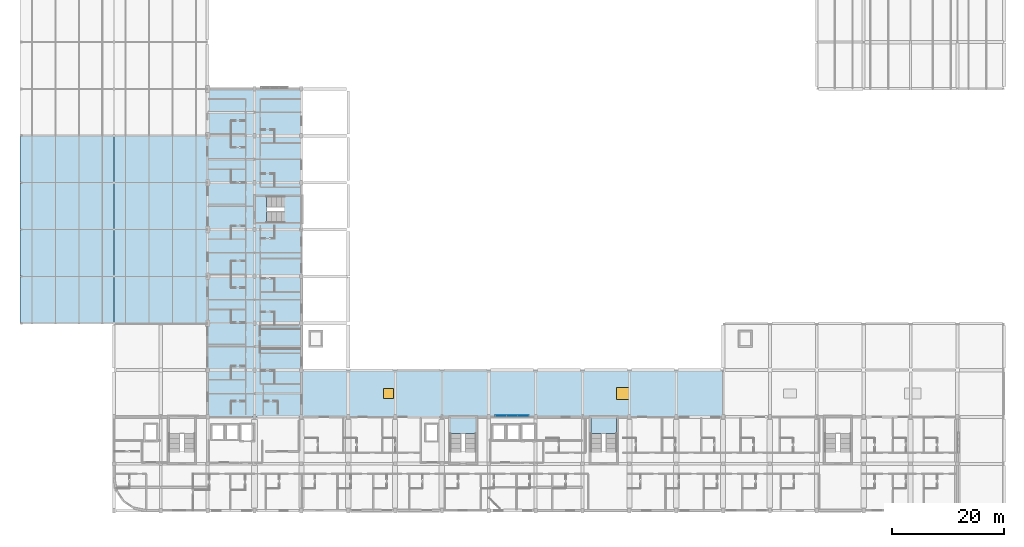
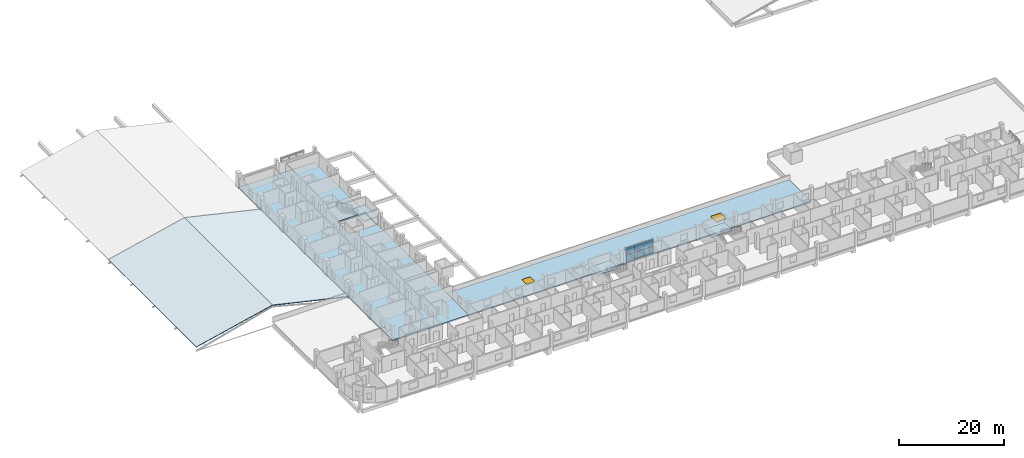
# One storey, part 13 of 42: 7 slabs, 6 plates, 2 windows, 2 openings, 4 elements without a shape of their own.
"""IFC4 building model written with IfcOpenShell, lengths in metres."""

from ifc_helpers import new_model, si_unit, derived_unit, direction, frame, origin, origin_2d, place, context, subcontext, project, spatial, polyline, rectangle, outline, extrude, material, layer, layer_set, type_object, element, fill, aggregate, save


model = new_model("IFC4")

# Units and contexts
model_context = context("Model", 3, precision=1e-05, world=origin(), true_north=direction((0.0, 1.0)))
body_context = subcontext(model_context, "Body", "Model", "MODEL_VIEW")
ifc_project = project(units=[si_unit("LENGTHUNIT", "METRE"), si_unit("AREAUNIT", "SQUARE_METRE"), si_unit("VOLUMEUNIT", "CUBIC_METRE"), si_unit("PLANEANGLEUNIT", "RADIAN"), si_unit("MASSUNIT", "GRAM", prefix="KILO"), derived_unit("THERMALTRANSMITTANCEUNIT", [(si_unit("POWERUNIT", "WATT"), 1), (si_unit("LENGTHUNIT", "METRE"), -2), (si_unit("THERMODYNAMICTEMPERATUREUNIT", "KELVIN"), -1)])], contexts=[model_context])

# Site, building, storey
site_placement = place(None, origin())
site = spatial("IfcSite", under=ifc_project, at=site_placement, CompositionType="ELEMENT")
building_placement = place(site_placement, origin())
building = spatial("IfcBuilding", under=site, at=building_placement, Name="Barrovel Congress Hotel", CompositionType="ELEMENT")
storey_placement = place(building_placement, frame((0.0, 0.0, 18.300048828125)))
storey = spatial("IfcBuildingStorey", under=building, at=storey_placement, Name="L04", CompositionType="ELEMENT", Elevation=18.300048828125)

# Curtain wall, plates
ifc_material_1 = material(Name="Anodised Aluminium Alloy 6063-T6", Category="aluminium")
curtain_wall_type = type_object("IfcCurtainWallType", Name="CW-UN-6000x3200", PredefinedType="USERDEFINED", material=ifc_material_1)
curtain_wall_placement = place(storey_placement, origin())
curtain_wall = element("IfcCurtainWall", 1, at=curtain_wall_placement, inside=storey, type_object=curtain_wall_type, Name="CW:L04:UN-4", ObjectType="UNITISED CURTAIN WALL", PredefinedType="USERDEFINED")
ifc_material_2 = material(Name="Double Low-E Insulated Glazing", Category="glass")
ifc_layer_1 = layer(ifc_material_2, 0.028076171875)
ifc_layer_set_1 = layer_set([ifc_layer_1], Name="Double Low-E Insulated Glazing")
plate_type = type_object("IfcPlateType", Name="CWP-28", PredefinedType="CURTAIN_PANEL", material=ifc_layer_set_1)
plate_1_placement = place(storey_placement, frame((86.199951171875, 21.219970703125, 0.030029296875), z_axis=(0.0, 0.0, 1.0), x_axis=(1.0, 0.0, 0.0)))
plate_1 = element("IfcPlate", 2, at=plate_1_placement, type_object=plate_type, Name="CW:L04:UN-4:P0-0", PredefinedType="CURTAIN_PANEL", context=body_context, shape_type="SweptSolid", body=[
    extrude(rectangle(XDim=1.93994140625, YDim=0.028076171875, at=origin_2d()), origin(), (0.0, 0.0, 1.0), 1.56494140625),
])
plate_2_placement = place(storey_placement, frame((86.199951171875, 21.219970703125, 1.655029296875), z_axis=(0.0, 0.0, 1.0), x_axis=(1.0, 0.0, 0.0)))
plate_2 = element("IfcPlate", 3, at=plate_2_placement, type_object=plate_type, Name="CW:L04:UN-4:P0-1", PredefinedType="CURTAIN_PANEL", context=body_context, shape_type="SweptSolid", body=[
    extrude(rectangle(XDim=1.93994140625, YDim=0.028076171875, at=origin_2d()), origin(), (0.0, 0.0, 1.0), 1.56494140625),
])
plate_3_placement = place(storey_placement, frame((88.199951171875, 21.219970703125, 0.030029296875), z_axis=(0.0, 0.0, 1.0), x_axis=(1.0, 0.0, 0.0)))
plate_3 = element("IfcPlate", 4, at=plate_3_placement, type_object=plate_type, Name="CW:L04:UN-4:P1-0", PredefinedType="CURTAIN_PANEL", context=body_context, shape_type="SweptSolid", body=[
    extrude(rectangle(XDim=1.93994140625, YDim=0.028076171875, at=origin_2d()), origin(), (0.0, 0.0, 1.0), 1.56494140625),
])
plate_4_placement = place(storey_placement, frame((88.199951171875, 21.219970703125, 1.655029296875), z_axis=(0.0, 0.0, 1.0), x_axis=(1.0, 0.0, 0.0)))
plate_4 = element("IfcPlate", 5, at=plate_4_placement, type_object=plate_type, Name="CW:L04:UN-4:P1-1", PredefinedType="CURTAIN_PANEL", context=body_context, shape_type="SweptSolid", body=[
    extrude(rectangle(XDim=1.93994140625, YDim=0.028076171875, at=origin_2d()), origin(), (0.0, 0.0, 1.0), 1.56494140625),
])
plate_5_placement = place(storey_placement, frame((90.199951171875, 21.219970703125, 0.030029296875), z_axis=(0.0, 0.0, 1.0), x_axis=(1.0, 0.0, 0.0)))
plate_5 = element("IfcPlate", 6, at=plate_5_placement, type_object=plate_type, Name="CW:L04:UN-4:P2-0", PredefinedType="CURTAIN_PANEL", context=body_context, shape_type="SweptSolid", body=[
    extrude(rectangle(XDim=1.93994140625, YDim=0.028076171875, at=origin_2d()), origin(), (0.0, 0.0, 1.0), 1.56494140625),
])
plate_6_placement = place(storey_placement, frame((90.199951171875, 21.219970703125, 1.655029296875), z_axis=(0.0, 0.0, 1.0), x_axis=(1.0, 0.0, 0.0)))
plate_6 = element("IfcPlate", 7, at=plate_6_placement, type_object=plate_type, Name="CW:L04:UN-4:P2-1", PredefinedType="CURTAIN_PANEL", context=body_context, shape_type="SweptSolid", body=[
    extrude(rectangle(XDim=1.93994140625, YDim=0.028076171875, at=origin_2d()), origin(), (0.0, 0.0, 1.0), 1.56494140625),
])
aggregate(curtain_wall, [plate_1, plate_2, plate_3, plate_4, plate_5, plate_6])

# Slab
ifc_material_3 = material(Name="Concrete C40", Category="concrete")
ifc_layer_2 = layer(ifc_material_3, 0.300048828125)
ifc_layer_set_2 = layer_set([ifc_layer_2], Name="Concrete C40")
slab_type_1 = type_object("IfcSlabType", Name="SL-F300", PredefinedType="FLOOR", material=ifc_layer_set_2)
slab_1_placement = place(storey_placement, frame((0.0, 0.0, -0.300048828125)))
element("IfcSlab", 8, at=slab_1_placement, inside=storey, type_object=slab_type_1, Name="SLAB:L04:HOT-W1", PredefinedType="FLOOR", context=body_context, shape_type="SweptSolid", body=[
    extrude(outline(polyline([(33.60009765625, 21.0), (50.39990234375, 21.0), (50.39990234375, 79.800048828125), (33.60009765625, 79.800048828125), (33.60009765625, 21.0)]), holes=[polyline([(44.179931640625, 55.89990234375), (44.179931640625, 60.5), (50.320068359375, 60.5), (50.320068359375, 55.89990234375), (44.179931640625, 55.89990234375)])]), origin(), (0.0, 0.0, 1.0), 0.300048828125),
])

# Stair, slab
stair_type_1 = type_object("IfcStairType", Name="STR-HT-360", PredefinedType="HALF_TURN_STAIR", material=ifc_material_3)
stair_1_placement = place(storey_placement, origin())
stair_1 = element("IfcStair", 9, at=stair_1_placement, inside=storey, type_object=stair_type_1, Name="Exit Stair XS-02 (L04)", PredefinedType="HALF_TURN_STAIR")
ifc_layer_3 = layer(ifc_material_3, 0.2099609375)
ifc_layer_set_3 = layer_set([ifc_layer_3], Name="Concrete C40")
slab_type_2 = type_object("IfcSlabType", Name="SL-LDG-210", PredefinedType="LANDING", material=ifc_layer_set_3)
slab_2_placement = place(storey_placement, frame((0.0, 0.0, 1.58984375)))
slab_2 = element("IfcSlab", 10, at=slab_2_placement, type_object=slab_type_2, Name="STAIR:XS-02:L04:LDG", PredefinedType="LANDING", context=body_context, shape_type="SweptSolid", body=[
    extrude(outline(polyline([(77.080078125, 18.010009765625), (81.719970703125, 18.010009765625), (81.719970703125, 21.02001953125), (77.080078125, 21.02001953125), (77.080078125, 18.010009765625)])), origin(), (0.0, 0.0, 1.0), 0.210205078125),
])
aggregate(stair_1, [slab_2])

stair_type_2 = type_object("IfcStairType", Name="STR-DR-360", PredefinedType="DOUBLE_RETURN_STAIR", material=ifc_material_3)
stair_2_placement = place(storey_placement, origin())
stair_2 = element("IfcStair", 11, at=stair_2_placement, inside=storey, type_object=stair_type_2, Name="Exit Stair XS-05 (L04)", PredefinedType="DOUBLE_RETURN_STAIR")
slab_3_placement = place(storey_placement, frame((0.0, 0.0, 1.58984375)))
slab_3 = element("IfcSlab", 12, at=slab_3_placement, type_object=slab_type_2, Name="STAIR:XS-05:L04:LDG", PredefinedType="LANDING", context=body_context, shape_type="SweptSolid", body=[
    extrude(outline(polyline([(47.409912109375, 55.8798828125), (50.419921875, 55.8798828125), (50.419921875, 60.52001953125), (47.409912109375, 60.52001953125), (47.409912109375, 55.8798828125)])), origin(), (0.0, 0.0, 1.0), 0.210205078125),
])
aggregate(stair_2, [slab_3])

stair_3_placement = place(storey_placement, origin())
stair_3 = element("IfcStair", 13, at=stair_3_placement, inside=storey, type_object=stair_type_1, Name="Exit Stair XS-03 (L04)", PredefinedType="HALF_TURN_STAIR")
ifc_layer_4 = layer(ifc_material_3, 0.22998046875)
ifc_layer_set_4 = layer_set([ifc_layer_4], Name="Concrete C40")
slab_type_3 = type_object("IfcSlabType", Name="SL-LDG-230", PredefinedType="LANDING", material=ifc_layer_set_4)
slab_4_placement = place(storey_placement, frame((0.0, 0.0, 1.570068359375)))
slab_4 = element("IfcSlab", 14, at=slab_4_placement, type_object=slab_type_3, Name="STAIR:XS-03:L04:LDG", PredefinedType="LANDING", context=body_context, shape_type="SweptSolid", body=[
    extrude(outline(polyline([(102.280029296875, 18.010009765625), (106.919921875, 18.010009765625), (106.919921875, 21.02001953125), (102.280029296875, 21.02001953125), (102.280029296875, 18.010009765625)])), origin(), (0.0, 0.0, 1.0), 0.22998046875),
])
aggregate(stair_3, [slab_4])

# Slabs
ifc_material_4 = material(Name="Concrete C35", Category="concrete")
ifc_layer_5 = layer(ifc_material_4, 0.159912109375)
ifc_layer_set_5 = layer_set([ifc_layer_5], Name="Concrete C35")
slab_type_4 = type_object("IfcSlabType", Name="SL-R160", PredefinedType="ROOF", material=ifc_layer_set_5)
for number, where, z_axis, x_axis, name in (
    (15, (0.0, 37.800048828125, 0.0), (-0.224954645868, 0.0, 0.97436923561), (0.97436923561, 0.0, 0.224954645868), "SLAB:V1-ROOF-W1"),
    (16, (16.800048828125, 37.800048828125, 3.878662109375), (0.224954645868, 0.0, 0.97436923561), (0.97436923561, 0.0, -0.224954645868), "SLAB:V1-ROOF-E1"),
):
    element("IfcSlab", number, at=place(storey_placement, frame(where, z_axis=z_axis, x_axis=x_axis)), inside=storey, type_object=slab_type_4, Name=name, PredefinedType="ROOF", context=body_context, shape_type="SweptSolid", body=[
        extrude(outline(polyline([(0.0, 0.0), (17.241973796119908, 0.0), (17.241973796119908, 33.59985351562499), (0.0, 33.59985351562499), (0.0, 0.0)])), origin(), (0.0, 0.0, -1.0), 0.159912109375),
    ])

# Slab, openings, windows
ifc_layer_6 = layer(ifc_material_4, 0.239990234375)
ifc_layer_set_6 = layer_set([ifc_layer_6], Name="Concrete C35")
slab_type_5 = type_object("IfcSlabType", Name="SL-R240", PredefinedType="ROOF", material=ifc_layer_set_6)
slab_5_placement = place(storey_placement, frame((0.0, 0.0, -0.239990234375)))
slab_5 = element("IfcSlab", 17, at=slab_5_placement, inside=storey, type_object=slab_type_5, Name="SLAB:L04:POD-ROOF-2", PredefinedType="ROOF", context=body_context, shape_type="SweptSolid", body=[
    extrude(outline(polyline([(50.39990234375, 21.0), (126.0, 21.0), (126.0, 29.39990234375), (50.39990234375, 29.39990234375), (50.39990234375, 21.0)])), origin(), (0.0, 0.0, 1.0), 0.239990234375),
])
opening_1_placement = place(slab_5_placement, frame((66.0, 25.199951171875, -0.010009765625)))
opening_1 = element("IfcOpeningElement", 18, at=opening_1_placement, cuts=slab_5, Name="Opening SK-01", PredefinedType="OPENING", context=body_context, shape_type="SweptSolid", body=[
    extrude(rectangle(XDim=1.800048828125, YDim=1.800048828125, at=origin_2d()), origin(), (0.0, 0.0, 1.0), 0.260009765625),
])
opening_2_placement = place(slab_5_placement, frame((108.0, 25.199951171875, -0.010009765625)))
opening_2 = element("IfcOpeningElement", 19, at=opening_2_placement, cuts=slab_5, Name="Opening SK-02", PredefinedType="OPENING", context=body_context, shape_type="SweptSolid", body=[
    extrude(rectangle(XDim=2.199951171875, YDim=2.199951171875, at=origin_2d()), origin(), (0.0, 0.0, 1.0), 0.260009765625),
])
window_type_1 = type_object("IfcWindowType", Name="SKY-01", PartitioningType="SINGLE_PANEL", PredefinedType="SKYLIGHT", material=ifc_material_2)
window_1_placement = place(slab_5_placement, frame((66.0, 25.199951171875, 0.18994140625)))
window_1 = element("IfcWindow", 20, at=window_1_placement, inside=storey, type_object=window_type_1, Name="Curb-Mounted Roof Skylight SK-5", OverallHeight=1.800048828125, OverallWidth=1.800048828125, PartitioningType="SINGLE_PANEL", PredefinedType="SKYLIGHT", context=body_context, shape_type="SweptSolid", body=[
    extrude(rectangle(XDim=1.800048828125, YDim=1.800048828125, at=origin_2d()), origin(), (0.0, 0.0, 1.0), 0.050048828125),
])
fill(opening_1, window_1)
window_type_2 = type_object("IfcWindowType", Name="SKY-02", PartitioningType="SINGLE_PANEL", PredefinedType="SKYLIGHT", material=ifc_material_2)
window_2_placement = place(slab_5_placement, frame((108.0, 25.199951171875, 0.18994140625)))
window_2 = element("IfcWindow", 21, at=window_2_placement, inside=storey, type_object=window_type_2, Name="Curb-Mounted Roof Skylight SK-6", OverallHeight=2.199951171875, OverallWidth=2.199951171875, PartitioningType="SINGLE_PANEL", PredefinedType="SKYLIGHT", context=body_context, shape_type="SweptSolid", body=[
    extrude(rectangle(XDim=2.199951171875, YDim=2.199951171875, at=origin_2d()), origin(), (0.0, 0.0, 1.0), 0.050048828125),
])
fill(opening_2, window_2)

save(model, "model.ifc")
